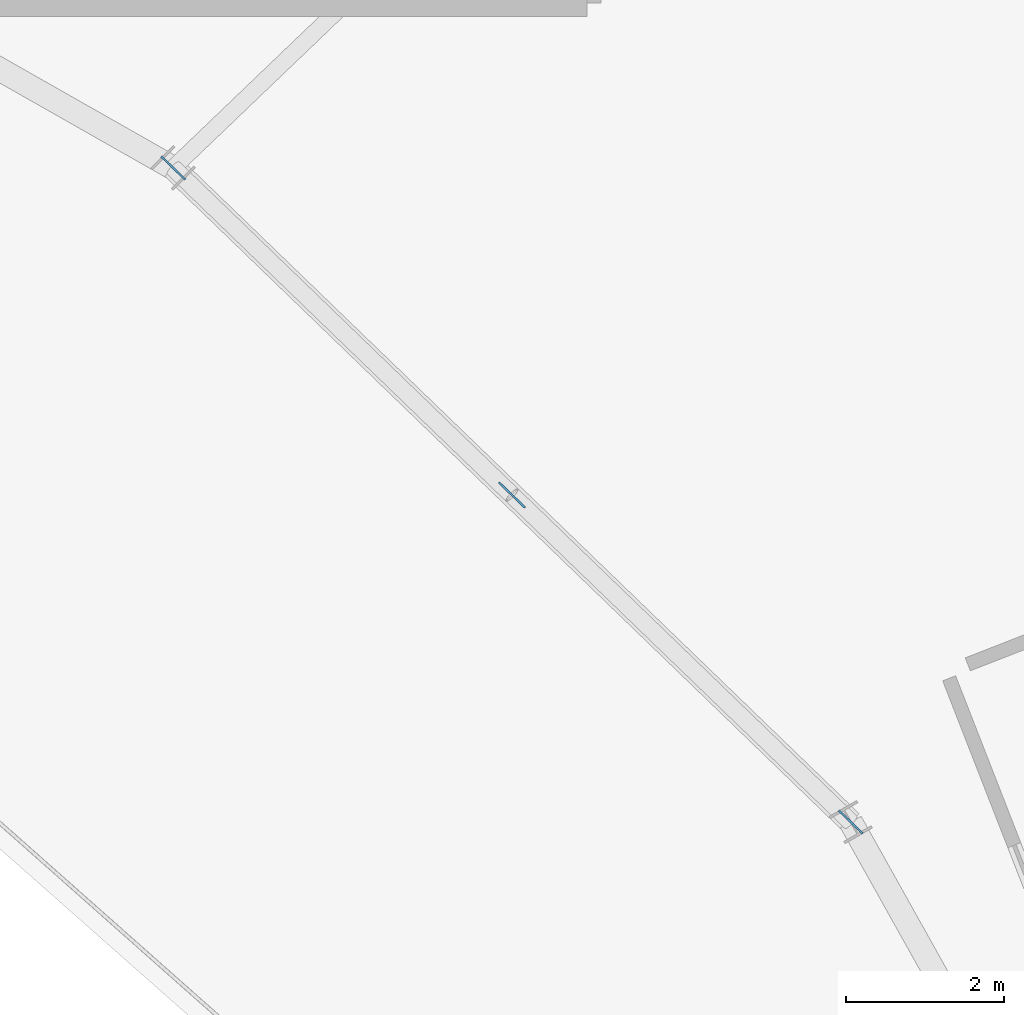
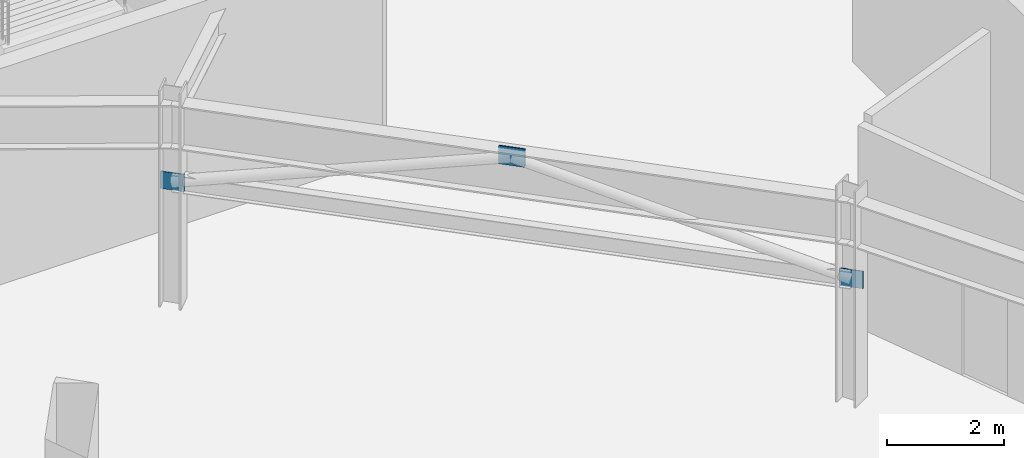
# One storey, part 84 of 123: 3 plates.
"""IFC4 building model written with IfcOpenShell, lengths in metres."""

from ifc_helpers import new_model, si_unit, direction, frame, origin, origin_2d, place, context, subcontext, project, spatial, rectangle, extrude, material, layer, layer_set, type_object, element, save


model = new_model("IFC4")

# Units and contexts
model_context = context("Model", 3, precision=1e-05, world=origin(), true_north=direction((0.0, 1.0)))
body_context = subcontext(model_context, "Body", "Model", "MODEL_VIEW")
ifc_project = project(units=[si_unit("LENGTHUNIT", "METRE"), si_unit("AREAUNIT", "SQUARE_METRE"), si_unit("VOLUMEUNIT", "CUBIC_METRE"), si_unit("PLANEANGLEUNIT", "RADIAN"), si_unit("MASSUNIT", "GRAM", prefix="KILO")], contexts=[model_context])

# Site, building, storey
site_placement = place(None, origin())
site = spatial("IfcSite", under=ifc_project, at=site_placement, CompositionType="ELEMENT")
building_placement = place(site_placement, origin())
building = spatial("IfcBuilding", under=site, at=building_placement, Name="Kalgoora Escarpment Arena", CompositionType="ELEMENT")
storey_placement = place(building_placement, frame((0.0, 0.0, 9.89990234375)))
storey = spatial("IfcBuildingStorey", under=building, at=storey_placement, Name="L02", CompositionType="ELEMENT", Elevation=9.89990234375)

# Plates
ifc_material = material(Name="Structural steel Grade 350 (350 MPa)", Category="steel")
ifc_layer = layer(ifc_material, 0.02490234375)
ifc_layer_set = layer_set([ifc_layer], Name="PLT-GUSSET-25")
plate_type = type_object("IfcPlateType", Name="PLT-GUSSET-25", PredefinedType="USERDEFINED", material=ifc_layer_set)
plate_placement = place(storey_placement, frame((134.87451171875, 88.14208984375, 3.860107421875), z_axis=(0.0, 0.0, 1.0), x_axis=(-0.719461030139, 0.6945328114, 0.0)))
element("IfcPlate", 1, at=plate_placement, inside=storey, type_object=plate_type, Name="L02 chevron gusset cap plate R03", ObjectType="FLANGE PLATE", PredefinedType="USERDEFINED", context=body_context, shape_type="SweptSolid", body=[
    extrude(rectangle(XDim=0.4599609375, YDim=0.02490234375, at=origin_2d()), origin(), (0.0, 0.0, 1.0), 0.3798828125),
])
for number, where, z_axis, x_axis, name in (
    (2, (139.165283203125, 84.0, 2.33984375), (0.0, 0.0, 1.0), (-0.719339800339, 0.694658370459, 0.0), "Brace and post end gusset plate 017"),
    (3, (130.583740234375, 92.2841796875, 2.33984375), (0.0, 0.0, 1.0), (0.719339800339, -0.694658370459, 0.0), "Brace and post end gusset plate 018"),
):
    element("IfcPlate", number, at=place(storey_placement, frame(where, z_axis=z_axis, x_axis=x_axis)), inside=storey, type_object=plate_type, Name=name, ObjectType="FLANGE PLATE", PredefinedType="USERDEFINED", context=body_context, shape_type="SweptSolid", body=[
        extrude(rectangle(XDim=0.419921875, YDim=0.02490234375, at=origin_2d()), origin(), (0.0, 0.0, 1.0), 0.360107421875),
    ])

save(model, "model.ifc")
